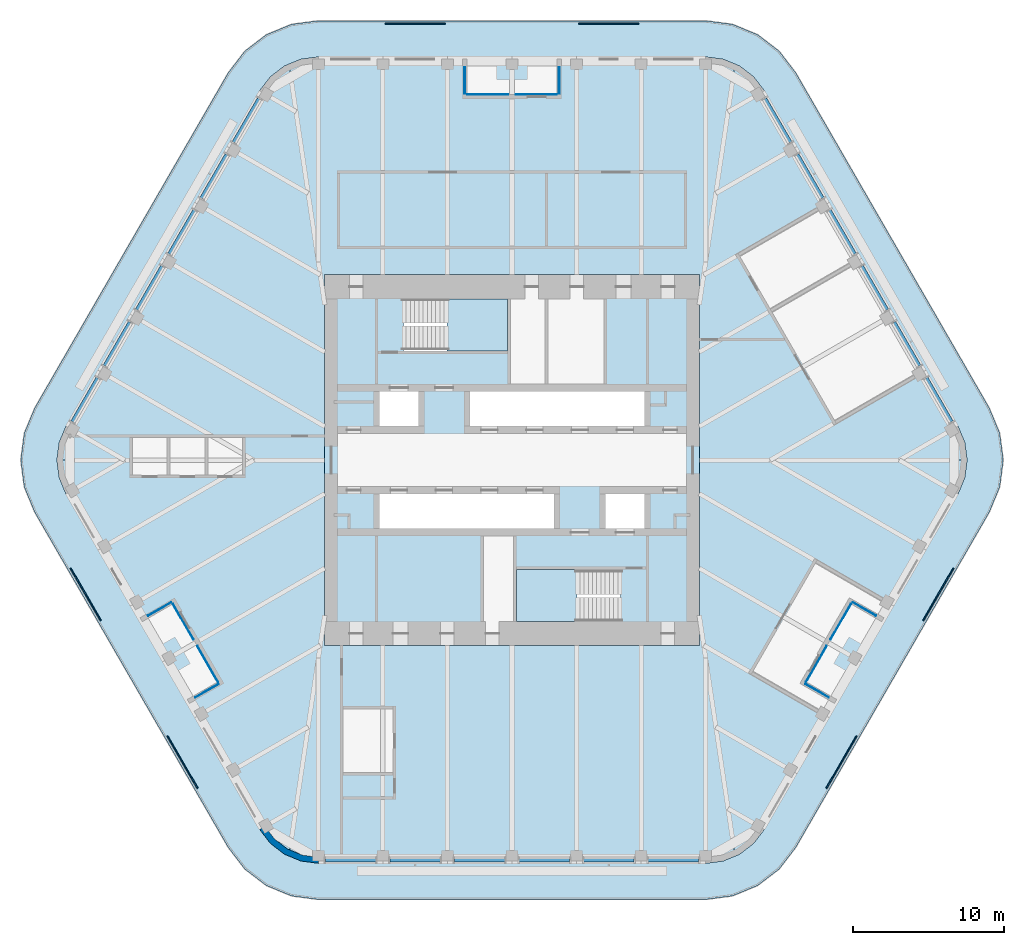
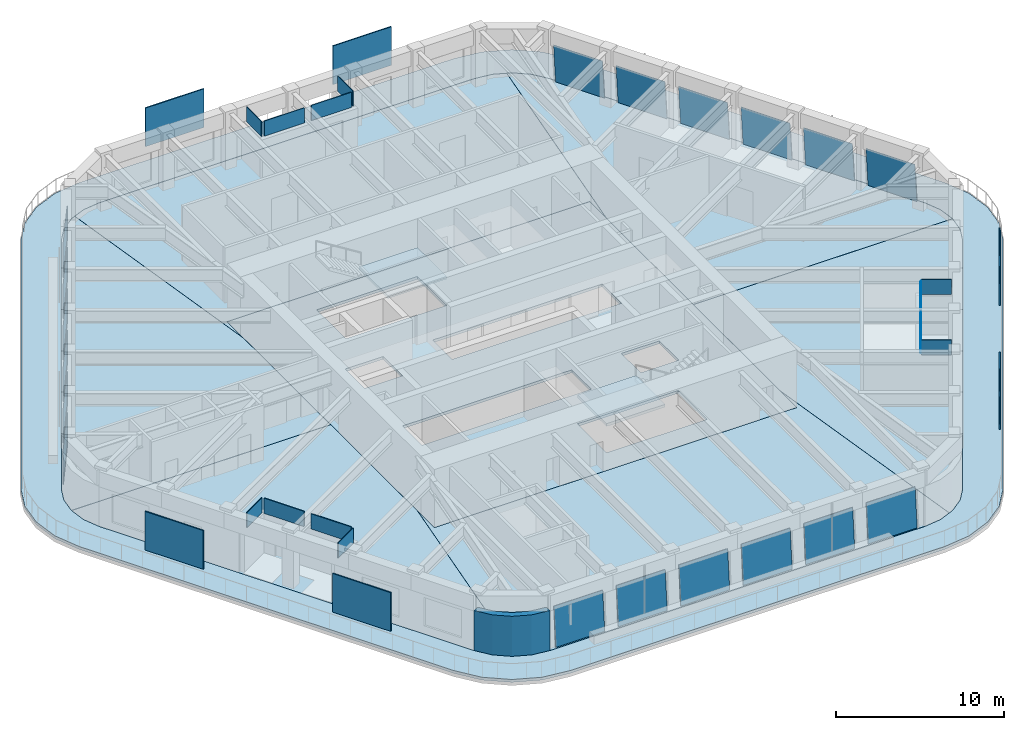
# One storey, part 12 of 19: 36 plates, 10 slabs, 1 wall, 20 elements without a shape of their own.
"""IFC4 building model written with IfcOpenShell, lengths in metres."""

from ifc_helpers import new_model, si_unit, direction, frame, origin, origin_2d, place, context, subcontext, project, spatial, polyline, rectangle, outline, extrude, material, layer, layer_set, type_object, element, aggregate, save


model = new_model("IFC4")

# Units and contexts
model_context = context("Model", 3, precision=1e-05, world=origin(), true_north=direction((0.0, 1.0)))
body_context = subcontext(model_context, "Body", "Model", "MODEL_VIEW")
ifc_project = project(units=[si_unit("LENGTHUNIT", "METRE"), si_unit("AREAUNIT", "SQUARE_METRE"), si_unit("VOLUMEUNIT", "CUBIC_METRE"), si_unit("PLANEANGLEUNIT", "RADIAN"), si_unit("MASSUNIT", "GRAM", prefix="KILO")], contexts=[model_context])

# Site, building, storey
site_placement = place(None, origin())
site = spatial("IfcSite", under=ifc_project, at=site_placement, CompositionType="ELEMENT")
building_placement = place(site_placement, origin())
building = spatial("IfcBuilding", under=site, at=building_placement, Name="Tarfa Lantern Tower", CompositionType="ELEMENT")
storey_placement = place(building_placement, frame((0.0, 0.0, 387.10009765625)))
storey = spatial("IfcBuildingStorey", under=building, at=storey_placement, Name="L88", CompositionType="ELEMENT", Elevation=387.10009765625)

# Slab
ifc_material_1 = material(Name="Concrete C40/50", Category="concrete")
ifc_layer_1 = layer(ifc_material_1, 0.199951171875)
ifc_layer_set_1 = layer_set([ifc_layer_1], Name="BS2 BALCONY SLAB 200")
slab_type_1 = type_object("IfcSlabType", Name="BS2 BALCONY SLAB 200", PredefinedType="FLOOR", material=ifc_layer_set_1)
slab_1_placement = place(storey_placement, frame((0.0, 0.0, -0.2001953125)))
element("IfcSlab", 1, at=slab_1_placement, inside=storey, type_object=slab_type_1, Name="Balcony L88", PredefinedType="FLOOR", context=body_context, shape_type="SweptSolid", body=[
    extrude(outline(polyline([(31.667724609375, 3.449951171875), (18.821533203125, 25.699951171875), (17.72509765625, 27.129150390625), (16.296142578125, 28.2255859375), (14.6318359375, 28.914794921875), (12.845947265625, 29.14990234375), (-12.845947265625, 29.14990234375), (-14.6318359375, 28.914794921875), (-16.296142578125, 28.2255859375), (-17.72509765625, 27.129150390625), (-18.821533203125, 25.699951171875), (-31.667724609375, 3.449951171875), (-32.35693359375, 1.785888671875), (-32.592041015625, 0.0), (-32.35693359375, -1.785888671875), (-31.667724609375, -3.449951171875), (-18.821533203125, -25.699951171875), (-17.72509765625, -27.129150390625), (-16.296142578125, -28.2255859375), (-14.6318359375, -28.914794921875), (-12.845947265625, -29.14990234375), (12.845947265625, -29.14990234375), (14.6318359375, -28.914794921875), (16.296142578125, -28.2255859375), (17.72509765625, -27.129150390625), (18.821533203125, -25.699951171875), (31.667724609375, -3.449951171875), (32.35693359375, -1.785888671875), (32.592041015625, 0.0), (32.35693359375, 1.785888671875), (31.667724609375, 3.449951171875)]), holes=[polyline([(29.589111328125, 2.25), (16.7431640625, 24.5), (16.028076171875, 25.431884765625), (15.095947265625, 26.147216796875), (14.0107421875, 26.5966796875), (12.845947265625, 26.75), (-12.845947265625, 26.75), (-14.0107421875, 26.5966796875), (-15.095947265625, 26.147216796875), (-16.028076171875, 25.431884765625), (-16.7431640625, 24.5), (-29.589111328125, 2.25), (-30.038818359375, 1.164794921875), (-30.192138671875, 0.0), (-30.038818359375, -1.164794921875), (-29.589111328125, -2.25), (-16.7431640625, -24.5), (-16.028076171875, -25.431884765625), (-15.095947265625, -26.147216796875), (-14.0107421875, -26.5966796875), (-12.845947265625, -26.75), (12.845947265625, -26.75), (14.0107421875, -26.5966796875), (15.095947265625, -26.147216796875), (16.028076171875, -25.431884765625), (16.7431640625, -24.5), (29.589111328125, -2.25), (30.038818359375, -1.164794921875), (30.192138671875, 0.0), (30.038818359375, 1.164794921875), (29.589111328125, 2.25)])]), origin(), (0.0, 0.0, 1.0), 0.2001953125),
])

# Curtain wall, plate
ifc_material_2 = material(Name="Aluminium framed curtain wall", Category="aluminium")
curtain_wall_type = type_object("IfcCurtainWallType", Name="CW4 CANTED GLAZING EXECUTIVE ZONE 2900", PredefinedType="USERDEFINED", material=ifc_material_2)
curtain_wall_1_placement = place(storey_placement, origin())
curtain_wall_1 = element("IfcCurtainWall", 2, at=curtain_wall_1_placement, inside=storey, type_object=curtain_wall_type, Name="CW4 NE L88", ObjectType="CURTAIN WALL", PredefinedType="USERDEFINED")
ifc_material_3 = material(Name="Laminated double glazing", Category="glass")
ifc_layer_2 = layer(ifc_material_3, 0.028076171875)
ifc_layer_set_2 = layer_set([ifc_layer_2], Name="CWP1 DOUBLE GLAZED PANEL")
plate_type_1 = type_object("IfcPlateType", Name="CWP1 DOUBLE GLAZED PANEL", PredefinedType="CURTAIN_PANEL", material=ifc_layer_set_2)
plate_1_placement = place(storey_placement, frame((29.27001953125, 2.602783203125, 0.0), z_axis=(0.862824338891, 0.498153070644, 0.085893413165), x_axis=(-0.500001024438, 0.866024812323, 1.558248e-06)))
plate_1 = element("IfcPlate", 3, at=plate_1_placement, type_object=plate_type_1, Name="CW4 panel 1.1", PredefinedType="CURTAIN_PANEL", context=body_context, shape_type="SweptSolid", body=[
    extrude(outline(polyline([(0.0, 0.0), (3.3519389773641266, 0.0), (3.3520626532439772, 2.845471633170458), (-8.775595909493566e-05, 2.845482118555973), (0.0, 0.0)])), origin(), (0.0, 0.0, -1.0), 0.028076171875),
])
aggregate(curtain_wall_1, [plate_1])

curtain_wall_2_placement = place(storey_placement, origin())
curtain_wall_2 = element("IfcCurtainWall", 4, at=curtain_wall_2_placement, inside=storey, type_object=curtain_wall_type, Name="CW4 NE L88", ObjectType="CURTAIN WALL", PredefinedType="USERDEFINED")
plate_2_placement = place(storey_placement, frame((27.129150390625, 6.31103515625, 0.0), z_axis=(0.862824338891, 0.498153070644, 0.085893413165), x_axis=(-0.500001024438, 0.866024812323, 1.558248e-06)))
plate_2 = element("IfcPlate", 5, at=plate_2_placement, type_object=plate_type_1, Name="CW4 panel 1.1", PredefinedType="CURTAIN_PANEL", context=body_context, shape_type="SweptSolid", body=[
    extrude(outline(polyline([(0.0, 0.0), (3.3519389773641266, 0.0), (3.3520626532439772, 2.845471633170458), (-8.775595909493566e-05, 2.845482118555973), (0.0, 0.0)])), origin(), (0.0, 0.0, -1.0), 0.028076171875),
])
aggregate(curtain_wall_2, [plate_2])

curtain_wall_3_placement = place(storey_placement, origin())
curtain_wall_3 = element("IfcCurtainWall", 6, at=curtain_wall_3_placement, inside=storey, type_object=curtain_wall_type, Name="CW4 NE L88", ObjectType="CURTAIN WALL", PredefinedType="USERDEFINED")
plate_3_placement = place(storey_placement, frame((24.988037109375, 10.019287109375, 0.0), z_axis=(0.862824338891, 0.498153070644, 0.085893413165), x_axis=(-0.500000791762, 0.866024946659, -1.55815e-06)))
plate_3 = element("IfcPlate", 7, at=plate_3_placement, type_object=plate_type_1, Name="CW4 panel 1.1", PredefinedType="CURTAIN_PANEL", context=body_context, shape_type="SweptSolid", body=[
    extrude(outline(polyline([(0.0, 0.0), (3.352150409219471, -1.3877787807814457e-17), (3.3520537527119685, 2.8454821182675554), (0.00011477536424000705, 2.8454716335433905), (0.0, 0.0)])), origin(), (0.0, 0.0, -1.0), 0.028076171875),
])
aggregate(curtain_wall_3, [plate_3])

curtain_wall_4_placement = place(storey_placement, origin())
curtain_wall_4 = element("IfcCurtainWall", 8, at=curtain_wall_4_placement, inside=storey, type_object=curtain_wall_type, Name="CW4 NE L88", ObjectType="CURTAIN WALL", PredefinedType="USERDEFINED")
plate_4_placement = place(storey_placement, frame((22.84716796875, 13.727783203125, 0.0), z_axis=(0.862824338891, 0.498153070644, 0.085893413165), x_axis=(-0.500001024438, 0.866024812323, 1.558248e-06)))
plate_4 = element("IfcPlate", 9, at=plate_4_placement, type_object=plate_type_1, Name="CW4 panel 1.1", PredefinedType="CURTAIN_PANEL", context=body_context, shape_type="SweptSolid", body=[
    extrude(outline(polyline([(0.0, 0.0), (3.3519389773641266, 0.0), (3.3520626532439772, 2.845471633170458), (-8.775595909493566e-05, 2.845482118555973), (0.0, 0.0)])), origin(), (0.0, 0.0, -1.0), 0.028076171875),
])
aggregate(curtain_wall_4, [plate_4])

curtain_wall_5_placement = place(storey_placement, origin())
curtain_wall_5 = element("IfcCurtainWall", 10, at=curtain_wall_5_placement, inside=storey, type_object=curtain_wall_type, Name="CW4 NE L88", ObjectType="CURTAIN WALL", PredefinedType="USERDEFINED")
plate_5_placement = place(storey_placement, frame((20.7060546875, 17.43603515625, 0.0), z_axis=(0.862824338891, 0.498153070644, 0.085893413165), x_axis=(-0.500001024438, 0.866024812323, 1.558248e-06)))
plate_5 = element("IfcPlate", 11, at=plate_5_placement, type_object=plate_type_1, Name="CW4 panel 1.1", PredefinedType="CURTAIN_PANEL", context=body_context, shape_type="SweptSolid", body=[
    extrude(outline(polyline([(0.0, 0.0), (3.3519389773641266, 0.0), (3.3520626532439772, 2.845471633170458), (-8.775595909493566e-05, 2.845482118555973), (0.0, 0.0)])), origin(), (0.0, 0.0, -1.0), 0.028076171875),
])
aggregate(curtain_wall_5, [plate_5])

curtain_wall_6_placement = place(storey_placement, origin())
curtain_wall_6 = element("IfcCurtainWall", 12, at=curtain_wall_6_placement, inside=storey, type_object=curtain_wall_type, Name="CW4 NE L88", ObjectType="CURTAIN WALL", PredefinedType="USERDEFINED")
plate_6_placement = place(storey_placement, frame((18.56494140625, 21.144287109375, 0.0), z_axis=(0.862842802272, 0.498127447642, 0.08585653425), x_axis=(-0.499973277303, 0.866040831581, -4.255243e-06)))
plate_6 = element("IfcPlate", 13, at=plate_6_placement, type_object=plate_type_1, Name="CW4 panel 1.1", PredefinedType="CURTAIN_PANEL", context=body_context, shape_type="SweptSolid", body=[
    extrude(outline(polyline([(0.0, 0.0), (3.3520283456378226, -2.7755575615628914e-17), (3.3519162760379397, 2.845482113502138), (-2.2697638389446947e-05, 2.8454534807665), (0.0, 0.0)])), origin(), (0.0, 0.0, -1.0), 0.028076171875),
])
aggregate(curtain_wall_6, [plate_6])

curtain_wall_7_placement = place(storey_placement, origin())
curtain_wall_7 = element("IfcCurtainWall", 14, at=curtain_wall_7_placement, inside=storey, type_object=curtain_wall_type, Name="CW4 NW L88", ObjectType="CURTAIN WALL", PredefinedType="USERDEFINED")
plate_7_placement = place(storey_placement, frame((-16.88916015625, 24.04736328125, 0.0), z_axis=(-0.862842802272, 0.498127447642, 0.08585653425), x_axis=(-0.499973277303, -0.866040831581, 4.255243e-06)))
plate_7 = element("IfcPlate", 15, at=plate_7_placement, type_object=plate_type_1, Name="CW4 panel 1.1", PredefinedType="CURTAIN_PANEL", context=body_context, shape_type="SweptSolid", body=[
    extrude(outline(polyline([(0.0, 0.0), (3.3520283456378226, 2.7755575615628914e-17), (3.3520510432762123, 2.8454534807665), (0.00011206959988298927, 2.845482113502138), (0.0, 0.0)])), origin(), (0.0, 0.0, -1.0), 0.028076171875),
])
aggregate(curtain_wall_7, [plate_7])

curtain_wall_8_placement = place(storey_placement, origin())
curtain_wall_8 = element("IfcCurtainWall", 16, at=curtain_wall_8_placement, inside=storey, type_object=curtain_wall_type, Name="CW4 NW L88", ObjectType="CURTAIN WALL", PredefinedType="USERDEFINED")
plate_8_placement = place(storey_placement, frame((-19.030029296875, 20.3388671875, 0.0), z_axis=(-0.862824338891, 0.498153070644, 0.085893413165), x_axis=(-0.500001024438, -0.866024812323, -1.558248e-06)))
plate_8 = element("IfcPlate", 17, at=plate_8_placement, type_object=plate_type_1, Name="CW4 panel 1.1", PredefinedType="CURTAIN_PANEL", context=body_context, shape_type="SweptSolid", body=[
    extrude(outline(polyline([(0.0, 0.0), (3.3519389773641266, 0.0), (3.3520267333232217, 2.845482118555973), (-0.0001236758798510584, 2.845471633170458), (0.0, 0.0)])), origin(), (0.0, 0.0, -1.0), 0.028076171875),
])
aggregate(curtain_wall_8, [plate_8])

curtain_wall_9_placement = place(storey_placement, origin())
curtain_wall_9 = element("IfcCurtainWall", 18, at=curtain_wall_9_placement, inside=storey, type_object=curtain_wall_type, Name="CW4 NW L88", ObjectType="CURTAIN WALL", PredefinedType="USERDEFINED")
plate_9_placement = place(storey_placement, frame((-21.171142578125, 16.630615234375, 0.0), z_axis=(-0.862824338891, 0.498153070644, 0.085893413165), x_axis=(-0.500001024438, -0.866024812323, -1.558248e-06)))
plate_9 = element("IfcPlate", 19, at=plate_9_placement, type_object=plate_type_1, Name="CW4 panel 1.1", PredefinedType="CURTAIN_PANEL", context=body_context, shape_type="SweptSolid", body=[
    extrude(outline(polyline([(0.0, 0.0), (3.3519389773641266, 0.0), (3.3520267333232217, 2.845482118555973), (-0.0001236758798510584, 2.845471633170458), (0.0, 0.0)])), origin(), (0.0, 0.0, -1.0), 0.028076171875),
])
aggregate(curtain_wall_9, [plate_9])

curtain_wall_10_placement = place(storey_placement, origin())
curtain_wall_10 = element("IfcCurtainWall", 20, at=curtain_wall_10_placement, inside=storey, type_object=curtain_wall_type, Name="CW4 NW L88", ObjectType="CURTAIN WALL", PredefinedType="USERDEFINED")
plate_10_placement = place(storey_placement, frame((-23.31201171875, 12.92236328125, 0.0), z_axis=(-0.862824338891, 0.498153070644, 0.085893413165), x_axis=(-0.500000791762, -0.866024946659, 1.55815e-06)))
plate_10 = element("IfcPlate", 21, at=plate_10_placement, type_object=plate_type_1, Name="CW4 panel 1.1", PredefinedType="CURTAIN_PANEL", context=body_context, shape_type="SweptSolid", body=[
    extrude(outline(polyline([(0.0, 0.0), (3.352150409219471, 1.3877787807814457e-17), (3.352035633855231, 2.8454716335433905), (9.665650750279393e-05, 2.8454821182675554), (0.0, 0.0)])), origin(), (0.0, 0.0, -1.0), 0.028076171875),
])
aggregate(curtain_wall_10, [plate_10])

curtain_wall_11_placement = place(storey_placement, origin())
curtain_wall_11 = element("IfcCurtainWall", 22, at=curtain_wall_11_placement, inside=storey, type_object=curtain_wall_type, Name="CW4 NW L88", ObjectType="CURTAIN WALL", PredefinedType="USERDEFINED")
plate_11_placement = place(storey_placement, frame((-25.453125, 9.2138671875, 0.0), z_axis=(-0.862824338891, 0.498153070644, 0.085893413165), x_axis=(-0.500001024438, -0.866024812323, -1.558248e-06)))
plate_11 = element("IfcPlate", 23, at=plate_11_placement, type_object=plate_type_1, Name="CW4 panel 1.1", PredefinedType="CURTAIN_PANEL", context=body_context, shape_type="SweptSolid", body=[
    extrude(outline(polyline([(0.0, 0.0), (3.3519389773641266, 0.0), (3.3520267333232217, 2.845482118555973), (-0.0001236758798510584, 2.845471633170458), (0.0, 0.0)])), origin(), (0.0, 0.0, -1.0), 0.028076171875),
])
aggregate(curtain_wall_11, [plate_11])

curtain_wall_12_placement = place(storey_placement, origin())
curtain_wall_12 = element("IfcCurtainWall", 24, at=curtain_wall_12_placement, inside=storey, type_object=curtain_wall_type, Name="CW4 NW L88", ObjectType="CURTAIN WALL", PredefinedType="USERDEFINED")
plate_12_placement = place(storey_placement, frame((-27.593994140625, 5.505615234375, 0.0), z_axis=(-0.862824338891, 0.498153070644, 0.085893413165), x_axis=(-0.500001024438, -0.866024812323, -1.558248e-06)))
plate_12 = element("IfcPlate", 25, at=plate_12_placement, type_object=plate_type_1, Name="CW4 panel 1.1", PredefinedType="CURTAIN_PANEL", context=body_context, shape_type="SweptSolid", body=[
    extrude(outline(polyline([(0.0, 0.0), (3.3519389773641266, 0.0), (3.3520267333232217, 2.845482118555973), (-0.0001236758798510584, 2.845471633170458), (0.0, 0.0)])), origin(), (0.0, 0.0, -1.0), 0.028076171875),
])
aggregate(curtain_wall_12, [plate_12])

curtain_wall_13_placement = place(storey_placement, origin())
curtain_wall_13 = element("IfcCurtainWall", 26, at=curtain_wall_13_placement, inside=storey, type_object=curtain_wall_type, Name="CW4 S L88", ObjectType="CURTAIN WALL", PredefinedType="USERDEFINED")
plate_13_placement = place(storey_placement, frame((-12.381103515625, -26.64990234375, 0.0), z_axis=(0.0, -0.996305022141, 0.085885405371), x_axis=(1.0, 0.0, 0.0)))
plate_13 = element("IfcPlate", 27, at=plate_13_placement, type_object=plate_type_1, Name="CW4 panel 1.1", PredefinedType="CURTAIN_PANEL", context=body_context, shape_type="SweptSolid", body=[
    extrude(outline(polyline([(0.0, 0.0), (3.35205078125, 0.0), (3.35205078125, 2.8454749042682606), (0.0, 2.8454749042682606), (0.0, 0.0)])), origin(), (0.0, 0.0, -1.0), 0.028076171875),
])
aggregate(curtain_wall_13, [plate_13])

curtain_wall_14_placement = place(storey_placement, origin())
curtain_wall_14 = element("IfcCurtainWall", 28, at=curtain_wall_14_placement, inside=storey, type_object=curtain_wall_type, Name="CW4 S L88", ObjectType="CURTAIN WALL", PredefinedType="USERDEFINED")
plate_14_placement = place(storey_placement, frame((-8.09912109375, -26.64990234375, 0.0), z_axis=(0.0, -0.996305022141, 0.085885405371), x_axis=(1.0, 0.0, 0.0)))
plate_14 = element("IfcPlate", 29, at=plate_14_placement, type_object=plate_type_1, Name="CW4 panel 1.1", PredefinedType="CURTAIN_PANEL", context=body_context, shape_type="SweptSolid", body=[
    extrude(outline(polyline([(0.0, 0.0), (3.35205078125, 0.0), (3.35205078125, 2.8454749042682606), (0.0, 2.8454749042682606), (0.0, 0.0)])), origin(), (0.0, 0.0, -1.0), 0.028076171875),
])
aggregate(curtain_wall_14, [plate_14])

curtain_wall_15_placement = place(storey_placement, origin())
curtain_wall_15 = element("IfcCurtainWall", 30, at=curtain_wall_15_placement, inside=storey, type_object=curtain_wall_type, Name="CW4 S L88", ObjectType="CURTAIN WALL", PredefinedType="USERDEFINED")
plate_15_placement = place(storey_placement, frame((-3.81689453125, -26.64990234375, 0.0), z_axis=(0.0, -0.996305022141, 0.085885405371), x_axis=(1.0, 0.0, 0.0)))
plate_15 = element("IfcPlate", 31, at=plate_15_placement, type_object=plate_type_1, Name="CW4 panel 1.1", PredefinedType="CURTAIN_PANEL", context=body_context, shape_type="SweptSolid", body=[
    extrude(outline(polyline([(0.0, 0.0), (3.351806640625, 0.0), (3.351806640625, 2.8454749042682606), (0.0, 2.8454749042682606), (0.0, 0.0)])), origin(), (0.0, 0.0, -1.0), 0.028076171875),
])
aggregate(curtain_wall_15, [plate_15])

curtain_wall_16_placement = place(storey_placement, origin())
curtain_wall_16 = element("IfcCurtainWall", 32, at=curtain_wall_16_placement, inside=storey, type_object=curtain_wall_type, Name="CW4 S L88", ObjectType="CURTAIN WALL", PredefinedType="USERDEFINED")
plate_16_placement = place(storey_placement, frame((0.465087890625, -26.64990234375, 0.0), z_axis=(0.0, -0.996305022141, 0.085885405371), x_axis=(1.0, 0.0, 0.0)))
plate_16 = element("IfcPlate", 33, at=plate_16_placement, type_object=plate_type_1, Name="CW4 panel 1.1", PredefinedType="CURTAIN_PANEL", context=body_context, shape_type="SweptSolid", body=[
    extrude(outline(polyline([(0.0, 0.0), (3.351806640625, 0.0), (3.351806640625, 2.8454749042682606), (0.0, 2.8454749042682606), (0.0, 0.0)])), origin(), (0.0, 0.0, -1.0), 0.028076171875),
])
aggregate(curtain_wall_16, [plate_16])

curtain_wall_17_placement = place(storey_placement, origin())
curtain_wall_17 = element("IfcCurtainWall", 34, at=curtain_wall_17_placement, inside=storey, type_object=curtain_wall_type, Name="CW4 S L88", ObjectType="CURTAIN WALL", PredefinedType="USERDEFINED")
plate_17_placement = place(storey_placement, frame((4.7470703125, -26.64990234375, 0.0), z_axis=(0.0, -0.996305022141, 0.085885405371), x_axis=(1.0, 0.0, 0.0)))
plate_17 = element("IfcPlate", 35, at=plate_17_placement, type_object=plate_type_1, Name="CW4 panel 1.1", PredefinedType="CURTAIN_PANEL", context=body_context, shape_type="SweptSolid", body=[
    extrude(outline(polyline([(0.0, 0.0), (3.35205078125, 0.0), (3.35205078125, 2.8454749042682606), (0.0, 2.8454749042682606), (0.0, 0.0)])), origin(), (0.0, 0.0, -1.0), 0.028076171875),
])
aggregate(curtain_wall_17, [plate_17])

curtain_wall_18_placement = place(storey_placement, origin())
curtain_wall_18 = element("IfcCurtainWall", 36, at=curtain_wall_18_placement, inside=storey, type_object=curtain_wall_type, Name="CW4 S L88", ObjectType="CURTAIN WALL", PredefinedType="USERDEFINED")
plate_18_placement = place(storey_placement, frame((9.029052734375, -26.64990234375, 0.0), z_axis=(0.0, -0.996305022141, 0.085885405371), x_axis=(1.0, 0.0, 0.0)))
plate_18 = element("IfcPlate", 37, at=plate_18_placement, type_object=plate_type_1, Name="CW4 panel 1.1", PredefinedType="CURTAIN_PANEL", context=body_context, shape_type="SweptSolid", body=[
    extrude(outline(polyline([(0.0, 0.0), (3.35205078125, 0.0), (3.35205078125, 2.8454749042682606), (0.0, 2.8454749042682606), (0.0, 0.0)])), origin(), (0.0, 0.0, -1.0), 0.028076171875),
])
aggregate(curtain_wall_18, [plate_18])

# Slabs
ifc_layer_3 = layer(ifc_material_1, 0.199951171875)
ifc_layer_set_3 = layer_set([ifc_layer_3], Name="FS1 FLOOR SLAB 200")
slab_type_2 = type_object("IfcSlabType", Name="FS1 FLOOR SLAB 200", PredefinedType="FLOOR", material=ifc_layer_set_3)
slab_2_placement = place(storey_placement, frame((0.0, 0.0, -0.2001953125)))
element("IfcSlab", 38, at=slab_2_placement, inside=storey, type_object=slab_type_2, Name="Floor slab L88", PredefinedType="FLOOR", context=body_context, shape_type="SweptSolid", body=[
    extrude(outline(polyline([(-12.425048828125, -12.300048828125), (12.425048828125, -12.300048828125), (12.425048828125, 12.300048828125), (-12.425048828125, 12.300048828125), (-12.425048828125, -12.300048828125)]), holes=[polyline([(-8.800048828125, 2.25), (-6.199951171875, 2.25), (-6.199951171875, 4.550048828125), (-8.800048828125, 4.550048828125), (-8.800048828125, 2.25)]), polyline([(-2.800048828125, 2.25), (8.800048828125, 2.25), (8.800048828125, 4.550048828125), (-2.800048828125, 4.550048828125), (-2.800048828125, 2.25)]), polyline([(8.800048828125, -2.25), (6.199951171875, -2.25), (6.199951171875, -4.550048828125), (8.800048828125, -4.550048828125), (8.800048828125, -2.25)]), polyline([(2.800048828125, -2.25), (-8.800048828125, -2.25), (-8.800048828125, -4.550048828125), (2.800048828125, -4.550048828125), (2.800048828125, -2.25)]), polyline([(-7.199951171875, 7.25), (-0.300048828125, 7.25), (-0.300048828125, 10.699951171875), (-7.199951171875, 10.699951171875), (-7.199951171875, 7.25)]), polyline([(7.199951171875, -7.25), (0.300048828125, -7.25), (0.300048828125, -10.699951171875), (7.199951171875, -10.699951171875), (7.199951171875, -7.25)])]), origin(), (0.0, 0.0, 1.0), 0.2001953125),
])
slab_3_placement = place(storey_placement, frame((0.0, 0.0, -0.2001953125)))
element("IfcSlab", 39, at=slab_3_placement, inside=storey, type_object=slab_type_2, Name="Floor slab L88 NE bay", PredefinedType="FLOOR", context=body_context, shape_type="SweptSolid", body=[
    extrude(outline(polyline([(29.58740234375, 2.2490234375), (16.741455078125, 24.498779296875), (16.026611328125, 25.4306640625), (15.094970703125, 26.145263671875), (14.802001953125, 26.2666015625), (12.427001953125, 10.2998046875), (12.427001953125, 0.001953125), (30.189697265625, 0.001953125), (30.036865234375, 1.1640625), (29.58740234375, 2.2490234375)])), origin(), (0.0, 0.0, 1.0), 0.2001953125),
])
slab_4_placement = place(storey_placement, frame((0.0, 0.0, -0.2001953125)))
element("IfcSlab", 40, at=slab_4_placement, inside=storey, type_object=slab_type_2, Name="Floor slab L88 N bay", PredefinedType="FLOOR", context=body_context, shape_type="SweptSolid", body=[
    extrude(outline(polyline([(-12.427001953125, 10.3271484375), (-12.427001953125, 12.302001953125), (12.427001953125, 12.302001953125), (12.427001953125, 10.3271484375), (14.79833984375, 26.268310546875), (14.01025390625, 26.5947265625), (12.845947265625, 26.748046875), (-12.845947265625, 26.748046875), (-14.01025390625, 26.5947265625), (-14.79833984375, 26.268310546875), (-12.427001953125, 10.3271484375)])), origin(), (0.0, 0.0, 1.0), 0.2001953125),
])
slab_5_placement = place(storey_placement, frame((0.0, 0.0, -0.2001953125)))
element("IfcSlab", 41, at=slab_5_placement, inside=storey, type_object=slab_type_2, Name="Floor slab L88 NW bay", PredefinedType="FLOOR", context=body_context, shape_type="SweptSolid", body=[
    extrude(outline(polyline([(-12.427001953125, 0.001953125), (-12.427001953125, 10.2998046875), (-14.802001953125, 26.2666015625), (-15.094970703125, 26.145263671875), (-16.026611328125, 25.4306640625), (-16.741455078125, 24.498779296875), (-29.58740234375, 2.2490234375), (-30.036865234375, 1.1640625), (-30.189697265625, 0.001953125), (-12.427001953125, 0.001953125)])), origin(), (0.0, 0.0, 1.0), 0.2001953125),
])
slab_6_placement = place(storey_placement, frame((0.0, 0.0, -0.2001953125)))
element("IfcSlab", 42, at=slab_6_placement, inside=storey, type_object=slab_type_2, Name="Floor slab L88 SW bay", PredefinedType="FLOOR", context=body_context, shape_type="SweptSolid", body=[
    extrude(outline(polyline([(-12.427001953125, -10.2998046875), (-12.427001953125, -0.001953125), (-30.189697265625, -0.001953125), (-30.036865234375, -1.1640625), (-29.58740234375, -2.2490234375), (-16.741455078125, -24.498779296875), (-16.026611328125, -25.4306640625), (-15.094970703125, -26.145263671875), (-14.802001953125, -26.2666015625), (-12.427001953125, -10.2998046875)])), origin(), (0.0, 0.0, 1.0), 0.2001953125),
])
slab_7_placement = place(storey_placement, frame((0.0, 0.0, -0.2001953125)))
element("IfcSlab", 43, at=slab_7_placement, inside=storey, type_object=slab_type_2, Name="Floor slab L88 S bay", PredefinedType="FLOOR", context=body_context, shape_type="SweptSolid", body=[
    extrude(outline(polyline([(12.427001953125, -10.3271484375), (12.427001953125, -12.302001953125), (-12.427001953125, -12.302001953125), (-12.427001953125, -10.3271484375), (-14.79833984375, -26.268310546875), (-14.01025390625, -26.5947265625), (-12.845947265625, -26.748046875), (12.845947265625, -26.748046875), (14.01025390625, -26.5947265625), (14.79833984375, -26.268310546875), (12.427001953125, -10.3271484375)])), origin(), (0.0, 0.0, 1.0), 0.2001953125),
])
slab_8_placement = place(storey_placement, frame((0.0, 0.0, -0.2001953125)))
element("IfcSlab", 44, at=slab_8_placement, inside=storey, type_object=slab_type_2, Name="Floor slab L88 SE bay", PredefinedType="FLOOR", context=body_context, shape_type="SweptSolid", body=[
    extrude(outline(polyline([(12.427001953125, -0.001953125), (12.427001953125, -10.2998046875), (14.802001953125, -26.2666015625), (15.094970703125, -26.145263671875), (16.026611328125, -25.4306640625), (16.741455078125, -24.498779296875), (29.58740234375, -2.2490234375), (30.036865234375, -1.1640625), (30.189697265625, -0.001953125), (12.427001953125, -0.001953125)])), origin(), (0.0, 0.0, 1.0), 0.2001953125),
])

# Plates
ifc_material_4 = material(Name="Aluminium fascia panel", Category="aluminium")
ifc_layer_4 = layer(ifc_material_4, 0.050048828125)
ifc_layer_set_4 = layer_set([ifc_layer_4], Name="LF1 LOGGIA HEAD FASCIA 50")
plate_type_2 = type_object("IfcPlateType", Name="LF1 LOGGIA HEAD FASCIA 50", PredefinedType="USERDEFINED", material=ifc_layer_set_4)
for number, where, z_axis, x_axis, name in (
    (45, (1.615966796875, 24.25, 2.89990234375), (0.0, 0.0, 1.0), (-1.0, 0.0, 0.0), "Terrace head fascia N"),
    (46, (-1.615966796875, 24.25, 2.89990234375), (0.0, 0.0, 1.0), (-1.0, 0.0, 0.0), "Terrace head fascia N"),
):
    element("IfcPlate", number, at=place(storey_placement, frame(where, z_axis=z_axis, x_axis=x_axis)), inside=storey, type_object=plate_type_2, Name=name, ObjectType="FASCIA", PredefinedType="USERDEFINED", context=body_context, shape_type="SweptSolid", body=[
        extrude(rectangle(XDim=2.73193359375, YDim=0.050048828125, at=origin_2d()), origin(), (0.0, 0.0, 1.0), 1.10009765625),
    ])
for number, where, z_axis, x_axis, name in (
    (47, (3.132080078125, 25.18505859375, 2.89990234375), (0.0, 0.0, 1.0), (0.0, -1.0, 0.0), "Terrace head fascia N"),
    (48, (-3.132080078125, 25.18505859375, 2.89990234375), (0.0, 0.0, 1.0), (0.0, -1.0, 0.0), "Terrace head fascia N"),
):
    element("IfcPlate", number, at=place(storey_placement, frame(where, z_axis=z_axis, x_axis=x_axis)), inside=storey, type_object=plate_type_2, Name=name, ObjectType="FASCIA", PredefinedType="USERDEFINED", context=body_context, shape_type="SweptSolid", body=[
        extrude(rectangle(XDim=1.77001953125, YDim=0.050048828125, at=origin_2d()), origin(), (0.0, 0.0, 1.0), 1.10009765625),
    ])
for number, where, z_axis, x_axis, name in (
    (49, (-21.80908203125, -10.7255859375, 2.89990234375), (0.0, 0.0, 1.0), (0.5, -0.866025403784, 0.0), "Terrace head fascia SW"),
    (50, (-20.193115234375, -13.5244140625, 2.89990234375), (0.0, 0.0, 1.0), (0.5, -0.866025403784, 0.0), "Terrace head fascia SW"),
):
    element("IfcPlate", number, at=place(storey_placement, frame(where, z_axis=z_axis, x_axis=x_axis)), inside=storey, type_object=plate_type_2, Name=name, ObjectType="FASCIA", PredefinedType="USERDEFINED", context=body_context, shape_type="SweptSolid", body=[
        extrude(rectangle(XDim=2.73193359375, YDim=0.050048828125, at=origin_2d()), origin(), (0.0, 0.0, 1.0), 1.10009765625),
    ])
for number, where, z_axis, x_axis, name in (
    (51, (-23.376953125, -9.880126953125, 2.89990234375), (0.0, 0.0, 1.0), (0.866025403784, 0.5, 0.0), "Terrace head fascia SW"),
    (52, (-20.244873046875, -15.304931640625, 2.89990234375), (0.0, 0.0, 1.0), (0.866025403784, 0.5, 0.0), "Terrace head fascia SW"),
):
    element("IfcPlate", number, at=place(storey_placement, frame(where, z_axis=z_axis, x_axis=x_axis)), inside=storey, type_object=plate_type_2, Name=name, ObjectType="FASCIA", PredefinedType="USERDEFINED", context=body_context, shape_type="SweptSolid", body=[
        extrude(rectangle(XDim=1.77001953125, YDim=0.050048828125, at=origin_2d()), origin(), (0.0, 0.0, 1.0), 1.10009765625),
    ])
for number, where, z_axis, x_axis, name in (
    (53, (20.193115234375, -13.5244140625, 2.89990234375), (0.0, 0.0, 1.0), (0.5, 0.866025403784, 0.0), "Terrace head fascia SE"),
    (54, (21.80908203125, -10.7255859375, 2.89990234375), (0.0, 0.0, 1.0), (0.5, 0.866025403784, 0.0), "Terrace head fascia SE"),
):
    element("IfcPlate", number, at=place(storey_placement, frame(where, z_axis=z_axis, x_axis=x_axis)), inside=storey, type_object=plate_type_2, Name=name, ObjectType="FASCIA", PredefinedType="USERDEFINED", context=body_context, shape_type="SweptSolid", body=[
        extrude(rectangle(XDim=2.73193359375, YDim=0.050048828125, at=origin_2d()), origin(), (0.0, 0.0, 1.0), 1.10009765625),
    ])
for number, where, z_axis, x_axis, name in (
    (55, (20.244873046875, -15.304931640625, 2.89990234375), (0.0, 0.0, 1.0), (-0.866025403784, 0.5, 0.0), "Terrace head fascia SE"),
    (56, (23.376953125, -9.880126953125, 2.89990234375), (0.0, 0.0, 1.0), (-0.866025403784, 0.5, 0.0), "Terrace head fascia SE"),
):
    element("IfcPlate", number, at=place(storey_placement, frame(where, z_axis=z_axis, x_axis=x_axis)), inside=storey, type_object=plate_type_2, Name=name, ObjectType="FASCIA", PredefinedType="USERDEFINED", context=body_context, shape_type="SweptSolid", body=[
        extrude(rectangle(XDim=1.77001953125, YDim=0.050048828125, at=origin_2d()), origin(), (0.0, 0.0, 1.0), 1.10009765625),
    ])
ifc_material_5 = material(Name="Perforated limestone screen", Category="masonry")
ifc_layer_5 = layer(ifc_material_5, 0.080078125)
ifc_layer_set_5 = layer_set([ifc_layer_5], Name="SC1 STONE SCREEN 80")
plate_type_3 = type_object("IfcPlateType", Name="SC1 STONE SCREEN 80", PredefinedType="USERDEFINED", material=ifc_layer_set_5)
for number, where, z_axis, x_axis, name in (
    (57, (6.423095703125, 28.949951171875, 1.19970703125), (0.0, 0.0, 1.0), (-1.0, 0.0, 0.0), "Stone screen N 1"),
    (58, (-6.423095703125, 28.949951171875, 1.19970703125), (0.0, 0.0, 1.0), (-1.0, 0.0, 0.0), "Stone screen N 2"),
    (59, (-28.282958984375, -8.91259765625, 1.19970703125), (0.0, 0.0, 1.0), (0.5, -0.866025403784, 0.0), "Stone screen SW 1"),
    (60, (-21.85986328125, -20.03759765625, 1.19970703125), (0.0, 0.0, 1.0), (0.5, -0.866025403784, 0.0), "Stone screen SW 2"),
    (61, (21.85986328125, -20.03759765625, 1.19970703125), (0.0, 0.0, 1.0), (0.5, 0.866025403784, 0.0), "Stone screen SE 1"),
    (62, (28.282958984375, -8.91259765625, 1.19970703125), (0.0, 0.0, 1.0), (0.5, 0.866025403784, 0.0), "Stone screen SE 2"),
):
    element("IfcPlate", number, at=place(storey_placement, frame(where, z_axis=z_axis, x_axis=x_axis)), inside=storey, type_object=plate_type_3, Name=name, ObjectType="SCREEN", PredefinedType="USERDEFINED", context=body_context, shape_type="SweptSolid", body=[
        extrude(rectangle(XDim=4.0, YDim=0.080078125, at=origin_2d()), origin(), (0.0, 0.0, 1.0), 2.800048828125),
    ])

# Stair, slab
stair_type = type_object("IfcStairType", Name="ST-T10 HALF-TURN STAIR 4200 RISE", PredefinedType="HALF_TURN_STAIR", material=ifc_material_1)
stair_1_placement = place(storey_placement, origin())
stair_1 = element("IfcStair", 63, at=stair_1_placement, inside=storey, type_object=stair_type, Name="Stair ST1", PredefinedType="HALF_TURN_STAIR")
ifc_layer_6 = layer(ifc_material_1, 0.199951171875)
ifc_layer_set_6 = layer_set([ifc_layer_6], Name="SL1 STAIR LANDING 200")
slab_type_3 = type_object("IfcSlabType", Name="SL1 STAIR LANDING 200", PredefinedType="LANDING", material=ifc_layer_set_6)
slab_9_placement = place(storey_placement, frame((0.0, 0.0, 1.89990234375)))
slab_9 = element("IfcSlab", 64, at=slab_9_placement, type_object=slab_type_3, Name="ST1 landing 1", PredefinedType="LANDING", context=body_context, shape_type="SweptSolid", body=[
    extrude(outline(polyline([(-4.320068359375, 7.25), (-0.300048828125, 7.25), (-0.300048828125, 10.699951171875), (-4.320068359375, 10.699951171875), (-4.320068359375, 7.25)])), origin(), (0.0, 0.0, 1.0), 0.199951171875),
])
aggregate(stair_1, [slab_9])

stair_2_placement = place(storey_placement, origin())
stair_2 = element("IfcStair", 65, at=stair_2_placement, inside=storey, type_object=stair_type, Name="Stair ST2", PredefinedType="HALF_TURN_STAIR")
slab_10_placement = place(storey_placement, frame((0.0, 0.0, 1.89990234375)))
slab_10 = element("IfcSlab", 66, at=slab_10_placement, type_object=slab_type_3, Name="ST2 landing 1", PredefinedType="LANDING", context=body_context, shape_type="SweptSolid", body=[
    extrude(outline(polyline([(4.320068359375, -7.25), (0.300048828125, -7.25), (0.300048828125, -10.699951171875), (4.320068359375, -10.699951171875), (4.320068359375, -7.25)])), origin(), (0.0, 0.0, 1.0), 0.199951171875),
])
aggregate(stair_2, [slab_10])

# Wall
ifc_material_6 = material(Name="Limestone cladding on blockwork", Category="masonry")
ifc_layer_7 = layer(ifc_material_6, 0.39990234375)
ifc_layer_set_7 = layer_set([ifc_layer_7], Name="EW2 CURVED STONE CORNER 400")
wall_type = type_object("IfcWallType", Name="EW2 CURVED STONE CORNER 400", PredefinedType="SOLIDWALL", material=ifc_layer_set_7)
wall_placement = place(storey_placement, origin())
element("IfcWall", 67, at=wall_placement, inside=storey, type_object=wall_type, Name="Stone corner SW-S", PredefinedType="SOLIDWALL", context=body_context, shape_type="SweptSolid", body=[
    extrude(outline(polyline([(-16.7431640625, -24.5), (-16.028076171875, -25.431884765625), (-15.095947265625, -26.147216796875), (-14.0107421875, -26.5966796875), (-12.845947265625, -26.75), (-12.845947265625, -26.35009765625), (-13.9072265625, -26.210205078125), (-14.89599609375, -25.80078125), (-15.7451171875, -25.149169921875), (-16.396728515625, -24.300048828125), (-16.7431640625, -24.5)])), origin(), (0.0, 0.0, 1.0), 2.89990234375),
])

save(model, "model.ifc")
